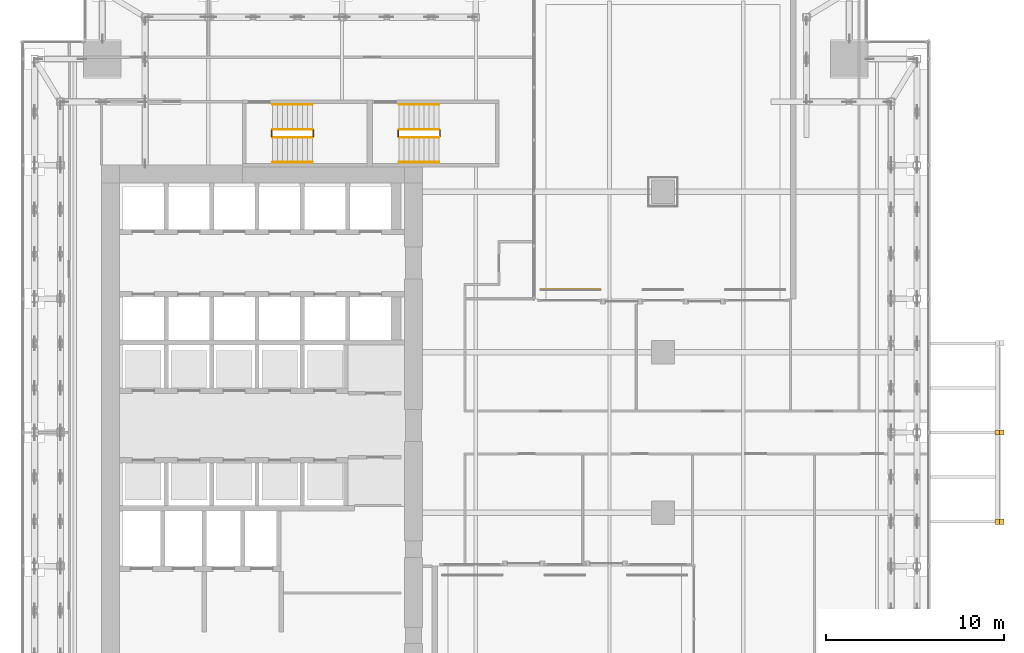
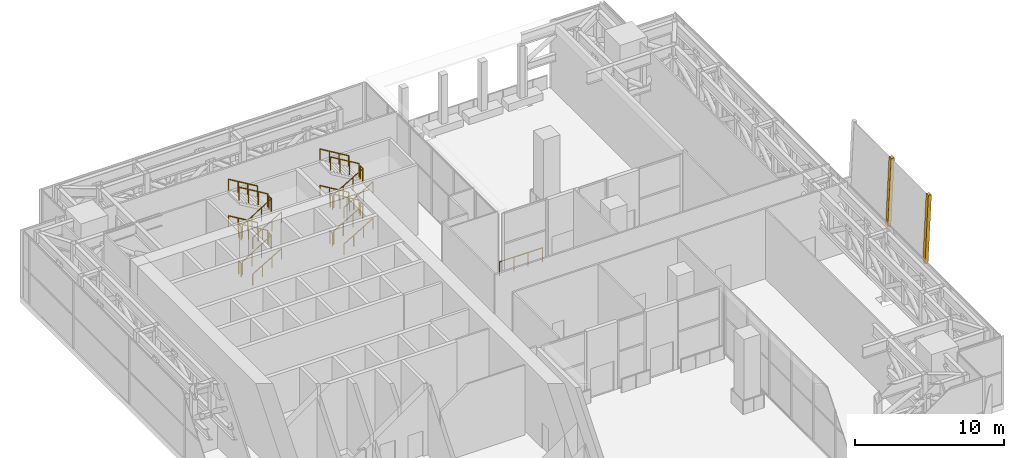
# One storey, part 45 of 47: 25 railings, 2 coverings.
"""IFC4 building model written with IfcOpenShell, lengths in metres."""

from ifc_helpers import new_model, si_unit, direction, frame, origin, origin_2d, place, context, subcontext, project, spatial, polyline, circle, outline, extrude, source, transform, mapped, material, layer, layer_set, type_object, element, save


model = new_model("IFC4")

# Units and contexts
model_context = context("Model", 3, precision=1e-05, world=origin(), true_north=direction((0.0, 1.0)))
body_context = subcontext(model_context, "Body", "Model", "MODEL_VIEW")
ifc_project = project(units=[si_unit("LENGTHUNIT", "METRE"), si_unit("AREAUNIT", "SQUARE_METRE"), si_unit("VOLUMEUNIT", "CUBIC_METRE"), si_unit("PLANEANGLEUNIT", "RADIAN"), si_unit("MASSUNIT", "GRAM", prefix="KILO")], contexts=[model_context])

# Site, building, storey
site_placement = place(None, origin())
site = spatial("IfcSite", under=ifc_project, at=site_placement, CompositionType="ELEMENT")
building_placement = place(site_placement, origin())
building = spatial("IfcBuilding", under=site, at=building_placement, Name="Khomas Fold Tower", CompositionType="ELEMENT")
storey_placement = place(building_placement, frame((0.0, 0.0, 158.699951171875)))
storey = spatial("IfcBuildingStorey", under=building, at=storey_placement, Name="L34", CompositionType="ELEMENT", Elevation=158.699951171875)

# Coverings
ifc_material_1 = material(Name="Natural stone cladding", Category="masonry")
ifc_layer = layer(ifc_material_1, 0.25)
ifc_layer_set = layer_set([ifc_layer], Name="Natural stone cladding")
covering_type = type_object("IfcCoveringType", Name="SK-Karibib marble stone mullion", PredefinedType="CLADDING", material=ifc_layer_set)
for number, where, z_axis, x_axis, name in (
    (1, (56.115234375, 21.85009765625, 0.0), (-0.998875482157, 0.0, 0.047410664903), (0.047410664903, 0.0, 0.998875482157), "OUTER SKIN mullion L34 EM102-1"),
    (2, (56.115234375, 26.85009765625, 0.0), (-0.998875482157, 0.0, 0.047410664903), (0.047410664903, 0.0, 0.998875482157), "OUTER SKIN mullion L34 EM103-3"),
):
    element("IfcCovering", number, at=place(storey_placement, frame(where, z_axis=z_axis, x_axis=x_axis)), inside=storey, type_object=covering_type, Name=name, PredefinedType="CLADDING", context=body_context, shape_type="SweptSolid", body=[
        extrude(outline(polyline([(0.0, 0.0), (5.556296983226296, 0.0), (5.556296983226296, 0.2998046875), (0.0, 0.2998046875), (0.0, 0.0)])), origin(), (0.0, 0.0, -1.0), 0.25),
    ])

# Railings
ifc_material_2 = material(Name="Powder-coated steel", Category="steel")
railing_type_1 = type_object("IfcRailingType", Name="Balcony guard", PredefinedType="GUARDRAIL", material=ifc_material_2)
shared_shape_1 = source(origin(), body_context, "Body", "SweptSolid", [
    extrude(circle(Radius=0.02490234375, at=origin_2d()), frame((0.0, 0.0, 1.125), z_axis=(-1.0, 0.0, 0.0), x_axis=(0.0, -1.0, 0.0)), (0.0, 0.0, 1.0), 3.33349609375),
    extrude(circle(Radius=0.02001953125, at=origin_2d()), origin(), (0.0, 0.0, 1.0), 1.099853515625),
    extrude(circle(Radius=0.02001953125, at=origin_2d()), frame((-1.111083984375, 0.0, 0.0)), (0.0, 0.0, 1.0), 1.099853515625),
    extrude(circle(Radius=0.02001953125, at=origin_2d()), frame((-2.222412109375, 0.0, 0.0)), (0.0, 0.0, 1.0), 1.099853515625),
    extrude(circle(Radius=0.02001953125, at=origin_2d()), frame((-3.33349609375, 0.0, 0.0)), (0.0, 0.0, 1.0), 1.099853515625),
])
railing_placement = place(storey_placement, frame((33.9833984375, 35.0, 0.0)))
element("IfcRailing", 3, at=railing_placement, inside=storey, type_object=railing_type_1, Name="GUARD 211", PredefinedType="GUARDRAIL", context=body_context, shape_type="MappedRepresentation", body=[
    mapped(shared_shape_1, transform((0.0, 0.0, 0.0))),
])
ifc_material_3 = material(Name="Steel balustrade", Category="steel")
railing_type_2 = type_object("IfcRailingType", Name="Stair guard", PredefinedType="GUARDRAIL", material=ifc_material_3)
shared_shape_2 = source(origin(), body_context, "Body", "SweptSolid", [
    extrude(circle(Radius=0.02392578125, at=origin_2d()), frame((0.0, 0.0, 1.076171875), z_axis=(0.0, 1.0, 0.0), x_axis=(-1.0, 0.0, 0.0)), (0.0, 0.0, 1.0), 0.349853515625),
    extrude(circle(Radius=0.02099609375, at=origin_2d()), origin(), (0.0, 0.0, 1.0), 1.052001953125),
    extrude(circle(Radius=0.02099609375, at=origin_2d()), frame((0.0, 0.349853515625, 0.0)), (0.0, 0.0, 1.0), 1.052001953125),
])
for number, where, name in (
    (4, (17.889892578125, 43.60009765625, 1.5), "L34 ST1 stair guard 2"),
    (5, (15.550048828125, 43.60009765625, 3.0), "L34 ST1 stair guard 4"),
    (6, (17.889892578125, 43.60009765625, 4.5), "L34 ST1 stair guard 6"),
    (7, (15.550048828125, 43.60009765625, 0.0), "L34 ST1 stair guard 8"),
    (8, (24.989990234375, 43.60009765625, 1.5), "L34 ST3 stair guard 2"),
    (9, (22.64990234375, 43.60009765625, 3.0), "L34 ST3 stair guard 4"),
    (10, (24.989990234375, 43.60009765625, 4.5), "L34 ST3 stair guard 6"),
    (11, (22.64990234375, 43.60009765625, 0.0), "L34 ST3 stair guard 8"),
):
    element("IfcRailing", number, at=place(storey_placement, frame(where)), inside=storey, type_object=railing_type_2, Name=name, PredefinedType="GUARDRAIL", context=body_context, shape_type="MappedRepresentation", body=[
        mapped(shared_shape_2, transform((0.0, 0.0, 0.0))),
    ])
shared_shape_3 = source(origin(), body_context, "Body", "SweptSolid", [
    extrude(circle(Radius=0.02392578125, at=origin_2d()), frame((0.0, 0.0, 1.076171875), z_axis=(0.859305625298, 0.0, 0.511462454469), x_axis=(0.0, 1.0, 0.0)), (0.0, 0.0, 1.0), 2.606689453125),
    extrude(circle(Radius=0.02099609375, at=origin_2d()), origin(), (0.0, 0.0, 1.0), 1.052001953125),
    extrude(circle(Radius=0.02099609375, at=origin_2d()), frame((0.74658203125, 0.0, 0.4443359375)), (0.0, 0.0, 1.0), 1.052001953125),
    extrude(circle(Radius=0.02099609375, at=origin_2d()), frame((1.493408203125, 0.0, 0.888916015625)), (0.0, 0.0, 1.0), 1.052001953125),
    extrude(circle(Radius=0.02099609375, at=origin_2d()), frame((2.239990234375, 0.0, 1.333251953125)), (0.0, 0.0, 1.0), 1.052001953125),
])
for number, where, name in (
    (12, (15.60009765625, 43.550048828125, 0.166748046875), "L34 ST1 stair guard 1"),
    (13, (15.60009765625, 43.550048828125, 3.166748046875), "L34 ST1 stair guard 5"),
    (14, (22.699951171875, 43.550048828125, 0.166748046875), "L34 ST3 stair guard 1"),
    (15, (22.699951171875, 43.550048828125, 3.166748046875), "L34 ST3 stair guard 5"),
):
    element("IfcRailing", number, at=place(storey_placement, frame(where)), inside=storey, type_object=railing_type_2, Name=name, PredefinedType="GUARDRAIL", context=body_context, shape_type="MappedRepresentation", body=[
        mapped(shared_shape_3, transform((0.0, 0.0, 0.0))),
    ])
shared_shape_4 = source(origin(), body_context, "Body", "SweptSolid", [
    extrude(circle(Radius=0.02392578125, at=origin_2d()), frame((0.0, 0.0, 1.076171875), z_axis=(-0.859305625298, 0.0, 0.511462454469), x_axis=(0.0, -1.0, 0.0)), (0.0, 0.0, 1.0), 2.606689453125),
    extrude(circle(Radius=0.02099609375, at=origin_2d()), origin(), (0.0, 0.0, 1.0), 1.052001953125),
    extrude(circle(Radius=0.02099609375, at=origin_2d()), frame((-0.74658203125, 0.0, 0.4443359375)), (0.0, 0.0, 1.0), 1.052001953125),
    extrude(circle(Radius=0.02099609375, at=origin_2d()), frame((-1.493408203125, 0.0, 0.888916015625)), (0.0, 0.0, 1.0), 1.052001953125),
    extrude(circle(Radius=0.02099609375, at=origin_2d()), frame((-2.239990234375, 0.0, 1.333251953125)), (0.0, 0.0, 1.0), 1.052001953125),
])
for number, where, name in (
    (16, (17.840087890625, 44.0, 1.666748046875), "L34 ST1 stair guard 3"),
    (17, (17.840087890625, 44.0, 4.666748046875), "L34 ST1 stair guard 7"),
    (18, (24.93994140625, 44.0, 1.666748046875), "L34 ST3 stair guard 3"),
    (19, (24.93994140625, 44.0, 4.666748046875), "L34 ST3 stair guard 7"),
):
    element("IfcRailing", number, at=place(storey_placement, frame(where)), inside=storey, type_object=railing_type_2, Name=name, PredefinedType="GUARDRAIL", context=body_context, shape_type="MappedRepresentation", body=[
        mapped(shared_shape_4, transform((0.0, 0.0, 0.0))),
    ])
ifc_material_4 = material(Name="Steel handrail", Category="steel")
railing_type_3 = type_object("IfcRailingType", Name="Stair handrail", PredefinedType="HANDRAIL", material=ifc_material_4)
shared_shape_5 = source(origin(), body_context, "Body", "SweptSolid", [
    extrude(circle(Radius=0.02392578125, at=origin_2d()), frame((0.0, 0.0, 0.8759765625), z_axis=(0.859305625298, 0.0, 0.511462454469), x_axis=(0.0, 1.0, 0.0)), (0.0, 0.0, 1.0), 2.606689453125),
    extrude(circle(Radius=0.02099609375, at=origin_2d()), origin(), (0.0, 0.0, 1.0), 0.851806640625),
    extrude(circle(Radius=0.02099609375, at=origin_2d()), frame((0.74658203125, 0.0, 0.4443359375)), (0.0, 0.0, 1.0), 0.851806640625),
    extrude(circle(Radius=0.02099609375, at=origin_2d()), frame((1.493408203125, 0.0, 0.888916015625)), (0.0, 0.0, 1.0), 0.851806640625),
    extrude(circle(Radius=0.02099609375, at=origin_2d()), frame((2.239990234375, 0.0, 1.333251953125)), (0.0, 0.0, 1.0), 0.851806640625),
])
for number, where, name in (
    (20, (15.60009765625, 42.14990234375, 0.166748046875), "L34 ST1 stair handrail 1"),
    (21, (15.60009765625, 42.14990234375, 3.166748046875), "L34 ST1 stair handrail 3"),
    (22, (22.699951171875, 42.14990234375, 0.166748046875), "L34 ST3 stair handrail 1"),
    (23, (22.699951171875, 42.14990234375, 3.166748046875), "L34 ST3 stair handrail 3"),
):
    element("IfcRailing", number, at=place(storey_placement, frame(where)), inside=storey, type_object=railing_type_3, Name=name, PredefinedType="HANDRAIL", context=body_context, shape_type="MappedRepresentation", body=[
        mapped(shared_shape_5, transform((0.0, 0.0, 0.0))),
    ])
shared_shape_6 = source(origin(), body_context, "Body", "SweptSolid", [
    extrude(circle(Radius=0.02392578125, at=origin_2d()), frame((0.0, 0.0, 0.8759765625), z_axis=(-0.859305625298, 0.0, 0.511462454469), x_axis=(0.0, -1.0, 0.0)), (0.0, 0.0, 1.0), 2.606689453125),
    extrude(circle(Radius=0.02099609375, at=origin_2d()), origin(), (0.0, 0.0, 1.0), 0.851806640625),
    extrude(circle(Radius=0.02099609375, at=origin_2d()), frame((-0.74658203125, 0.0, 0.4443359375)), (0.0, 0.0, 1.0), 0.851806640625),
    extrude(circle(Radius=0.02099609375, at=origin_2d()), frame((-1.493408203125, 0.0, 0.888916015625)), (0.0, 0.0, 1.0), 0.851806640625),
    extrude(circle(Radius=0.02099609375, at=origin_2d()), frame((-2.239990234375, 0.0, 1.333251953125)), (0.0, 0.0, 1.0), 0.851806640625),
])
for number, where, name in (
    (24, (17.840087890625, 45.39990234375, 1.666748046875), "L34 ST1 stair handrail 2"),
    (25, (17.840087890625, 45.39990234375, 4.666748046875), "L34 ST1 stair handrail 4"),
    (26, (24.93994140625, 45.39990234375, 1.666748046875), "L34 ST3 stair handrail 2"),
    (27, (24.93994140625, 45.39990234375, 4.666748046875), "L34 ST3 stair handrail 4"),
):
    element("IfcRailing", number, at=place(storey_placement, frame(where)), inside=storey, type_object=railing_type_3, Name=name, PredefinedType="HANDRAIL", context=body_context, shape_type="MappedRepresentation", body=[
        mapped(shared_shape_6, transform((0.0, 0.0, 0.0))),
    ])

save(model, "model.ifc")
